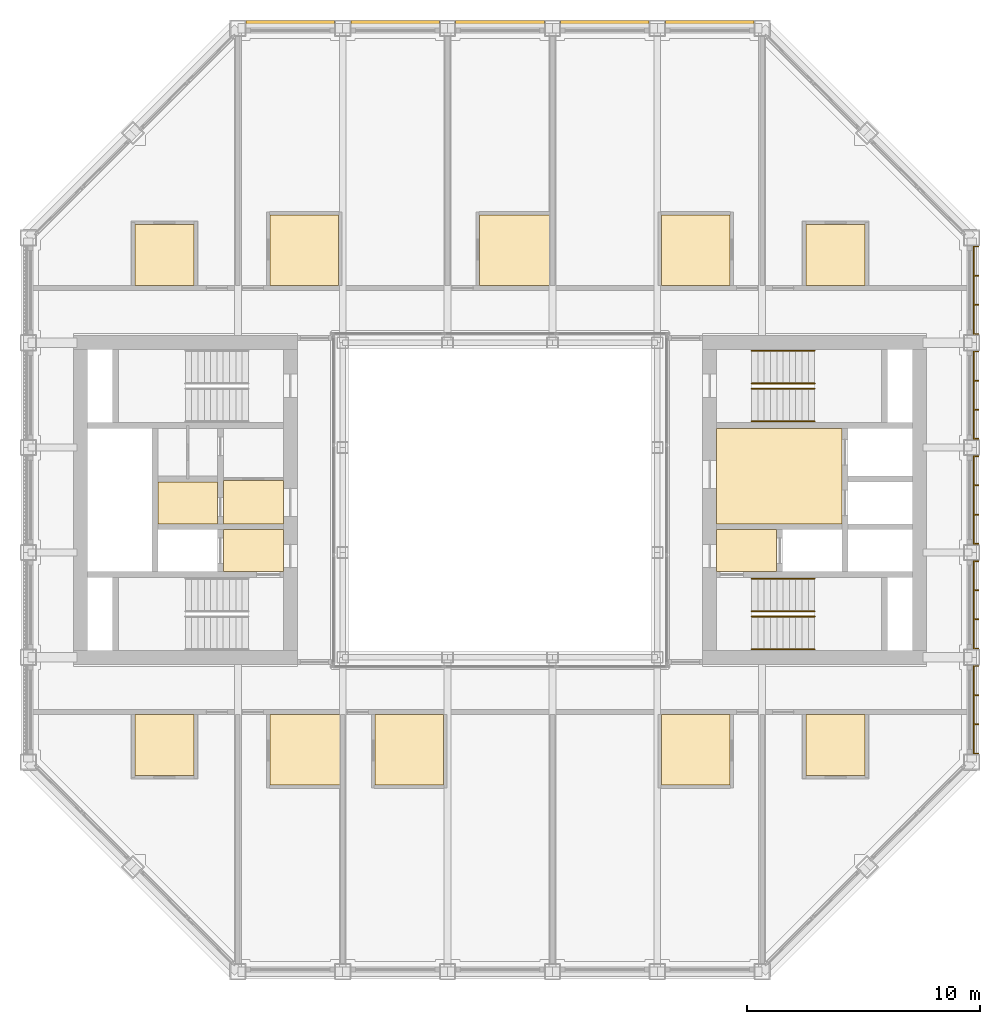
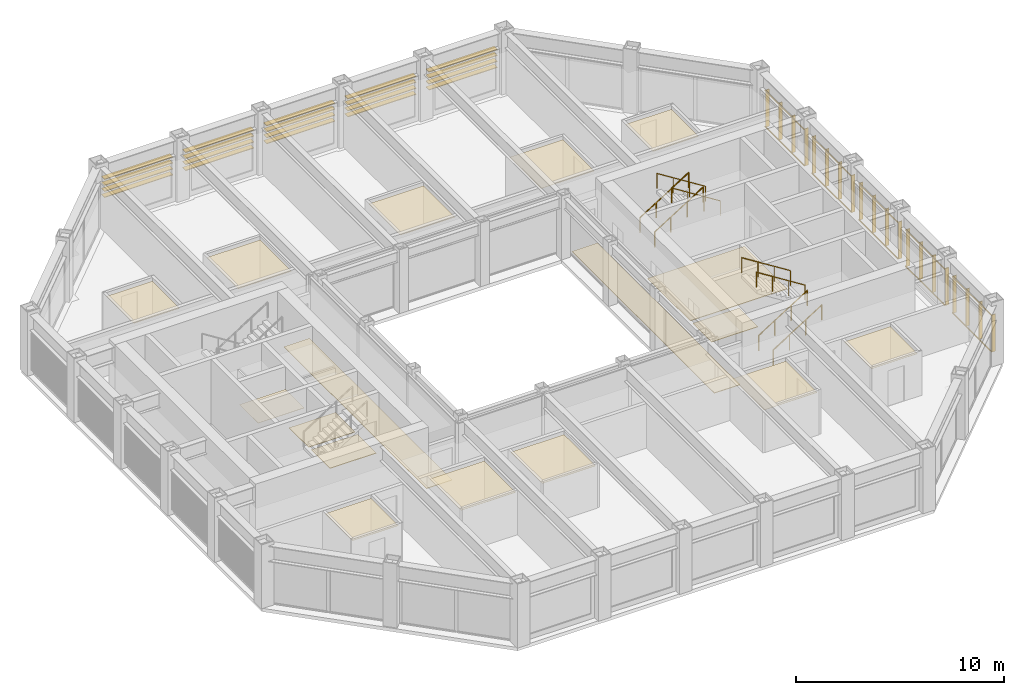
# One storey, part 16 of 16: 8 railings, 2 coverings, 2 shading devices.
"""IFC4 building model written with IfcOpenShell, lengths in metres."""

from ifc_helpers import new_model, si_unit, direction, frame, origin, origin_2d, place, context, subcontext, project, spatial, line, indexed_curve, rectangle, circle, outline, extrude, material, layer, layer_set, type_object, element, save


model = new_model("IFC4")

# Units and contexts
model_context = context("Model", 3, precision=1e-05, world=origin(), true_north=direction((0.0, 1.0)))
body_context = subcontext(model_context, "Body", "Model", "MODEL_VIEW")
ifc_project = project(units=[si_unit("LENGTHUNIT", "METRE"), si_unit("AREAUNIT", "SQUARE_METRE"), si_unit("VOLUMEUNIT", "CUBIC_METRE"), si_unit("PLANEANGLEUNIT", "RADIAN"), si_unit("MASSUNIT", "GRAM", prefix="KILO")], contexts=[model_context])

# Site, building, storey
site_placement = place(None, origin())
site = spatial("IfcSite", under=ifc_project, at=site_placement, CompositionType="ELEMENT")
building_placement = place(site_placement, origin())
building = spatial("IfcBuilding", under=site, at=building_placement, Name="Msasa Ring Tower", CompositionType="ELEMENT")
storey_placement = place(building_placement, frame((0.0, 0.0, 219.550048828125)))
storey = spatial("IfcBuildingStorey", under=building, at=storey_placement, Name="L57", CompositionType="ELEMENT", Elevation=219.550048828125)

# Shading device
ifc_material_1 = material(Name="Extruded terracotta on aluminium carriers", Category="masonry")
shading_device_type_1 = type_object("IfcShadingDeviceType", Name="BS2 TERRACOTTA FIN SCREEN 40x200 AT 1350", PredefinedType="USERDEFINED", material=ifc_material_1)
shading_device_1_placement = place(storey_placement, origin())
element("IfcShadingDevice", 1, at=shading_device_1_placement, inside=storey, type_object=shading_device_type_1, Name="Terracotta fin screen E L57", ObjectType="BAGUETTE", PredefinedType="USERDEFINED", context=body_context, shape_type="SweptSolid", body=[
    extrude(rectangle(XDim=0.06005859375, YDim=0.0400390625, at=origin_2d()), frame((20.330078125, -10.89990234375, 0.329833984375), z_axis=(0.0, 1.0, 0.0), x_axis=(0.0, 0.0, 1.0)), (0.0, 0.0, 1.0), 3.800048828125),
    extrude(rectangle(XDim=0.06005859375, YDim=0.0400390625, at=origin_2d()), frame((20.330078125, -10.89990234375, 2.448974609375), z_axis=(0.0, 1.0, 0.0), x_axis=(0.0, 0.0, 1.0)), (0.0, 0.0, 1.0), 3.800048828125),
    extrude(rectangle(XDim=0.0400390625, YDim=0.199951171875, at=origin_2d()), frame((20.445068359375, -10.8798828125, 0.300048828125), z_axis=(0.0, 0.0, 1.0), x_axis=(0.0, 1.0, 0.0)), (0.0, 0.0, 1.0), 2.178955078125),
    extrude(rectangle(XDim=0.0400390625, YDim=0.199951171875, at=origin_2d()), frame((20.445068359375, -9.626708984375, 0.300048828125), z_axis=(0.0, 0.0, 1.0), x_axis=(0.0, 1.0, 0.0)), (0.0, 0.0, 1.0), 2.178955078125),
    extrude(rectangle(XDim=0.0400390625, YDim=0.199951171875, at=origin_2d()), frame((20.445068359375, -8.373291015625, 0.300048828125), z_axis=(0.0, 0.0, 1.0), x_axis=(0.0, 1.0, 0.0)), (0.0, 0.0, 1.0), 2.178955078125),
    extrude(rectangle(XDim=0.0400390625, YDim=0.199951171875, at=origin_2d()), frame((20.445068359375, -7.1201171875, 0.300048828125), z_axis=(0.0, 0.0, 1.0), x_axis=(0.0, 1.0, 0.0)), (0.0, 0.0, 1.0), 2.178955078125),
    extrude(rectangle(XDim=0.06005859375, YDim=0.0400390625, at=origin_2d()), frame((20.330078125, -6.39990234375, 0.329833984375), z_axis=(0.0, 1.0, 0.0), x_axis=(0.0, 0.0, 1.0)), (0.0, 0.0, 1.0), 3.800048828125),
    extrude(rectangle(XDim=0.06005859375, YDim=0.0400390625, at=origin_2d()), frame((20.330078125, -6.39990234375, 2.448974609375), z_axis=(0.0, 1.0, 0.0), x_axis=(0.0, 0.0, 1.0)), (0.0, 0.0, 1.0), 3.800048828125),
    extrude(rectangle(XDim=0.0400390625, YDim=0.199951171875, at=origin_2d()), frame((20.445068359375, -6.3798828125, 0.300048828125), z_axis=(0.0, 0.0, 1.0), x_axis=(0.0, 1.0, 0.0)), (0.0, 0.0, 1.0), 2.178955078125),
    extrude(rectangle(XDim=0.0400390625, YDim=0.199951171875, at=origin_2d()), frame((20.445068359375, -5.126708984375, 0.300048828125), z_axis=(0.0, 0.0, 1.0), x_axis=(0.0, 1.0, 0.0)), (0.0, 0.0, 1.0), 2.178955078125),
    extrude(rectangle(XDim=0.0400390625, YDim=0.199951171875, at=origin_2d()), frame((20.445068359375, -3.873291015625, 0.300048828125), z_axis=(0.0, 0.0, 1.0), x_axis=(0.0, 1.0, 0.0)), (0.0, 0.0, 1.0), 2.178955078125),
    extrude(rectangle(XDim=0.0400390625, YDim=0.199951171875, at=origin_2d()), frame((20.445068359375, -2.6201171875, 0.300048828125), z_axis=(0.0, 0.0, 1.0), x_axis=(0.0, 1.0, 0.0)), (0.0, 0.0, 1.0), 2.178955078125),
    extrude(rectangle(XDim=0.06005859375, YDim=0.0400390625, at=origin_2d()), frame((20.330078125, -1.89990234375, 0.329833984375), z_axis=(0.0, 1.0, 0.0), x_axis=(0.0, 0.0, 1.0)), (0.0, 0.0, 1.0), 3.800048828125),
    extrude(rectangle(XDim=0.06005859375, YDim=0.0400390625, at=origin_2d()), frame((20.330078125, -1.89990234375, 2.448974609375), z_axis=(0.0, 1.0, 0.0), x_axis=(0.0, 0.0, 1.0)), (0.0, 0.0, 1.0), 3.800048828125),
    extrude(rectangle(XDim=0.0400390625, YDim=0.199951171875, at=origin_2d()), frame((20.445068359375, -1.8798828125, 0.300048828125), z_axis=(0.0, 0.0, 1.0), x_axis=(0.0, 1.0, 0.0)), (0.0, 0.0, 1.0), 2.178955078125),
    extrude(rectangle(XDim=0.0400390625, YDim=0.199951171875, at=origin_2d()), frame((20.445068359375, -0.626708984375, 0.300048828125), z_axis=(0.0, 0.0, 1.0), x_axis=(0.0, 1.0, 0.0)), (0.0, 0.0, 1.0), 2.178955078125),
    extrude(rectangle(XDim=0.0400390625, YDim=0.199951171875, at=origin_2d()), frame((20.445068359375, 0.626708984375, 0.300048828125), z_axis=(0.0, 0.0, 1.0), x_axis=(0.0, 1.0, 0.0)), (0.0, 0.0, 1.0), 2.178955078125),
    extrude(rectangle(XDim=0.0400390625, YDim=0.199951171875, at=origin_2d()), frame((20.445068359375, 1.8798828125, 0.300048828125), z_axis=(0.0, 0.0, 1.0), x_axis=(0.0, 1.0, 0.0)), (0.0, 0.0, 1.0), 2.178955078125),
    extrude(rectangle(XDim=0.06005859375, YDim=0.0400390625, at=origin_2d()), frame((20.330078125, 2.60009765625, 0.329833984375), z_axis=(0.0, 1.0, 0.0), x_axis=(0.0, 0.0, 1.0)), (0.0, 0.0, 1.0), 3.800048828125),
    extrude(rectangle(XDim=0.06005859375, YDim=0.0400390625, at=origin_2d()), frame((20.330078125, 2.60009765625, 2.448974609375), z_axis=(0.0, 1.0, 0.0), x_axis=(0.0, 0.0, 1.0)), (0.0, 0.0, 1.0), 3.800048828125),
    extrude(rectangle(XDim=0.0400390625, YDim=0.199951171875, at=origin_2d()), frame((20.445068359375, 2.6201171875, 0.300048828125), z_axis=(0.0, 0.0, 1.0), x_axis=(0.0, 1.0, 0.0)), (0.0, 0.0, 1.0), 2.178955078125),
    extrude(rectangle(XDim=0.0400390625, YDim=0.199951171875, at=origin_2d()), frame((20.445068359375, 3.873291015625, 0.300048828125), z_axis=(0.0, 0.0, 1.0), x_axis=(0.0, 1.0, 0.0)), (0.0, 0.0, 1.0), 2.178955078125),
    extrude(rectangle(XDim=0.0400390625, YDim=0.199951171875, at=origin_2d()), frame((20.445068359375, 5.126708984375, 0.300048828125), z_axis=(0.0, 0.0, 1.0), x_axis=(0.0, 1.0, 0.0)), (0.0, 0.0, 1.0), 2.178955078125),
    extrude(rectangle(XDim=0.0400390625, YDim=0.199951171875, at=origin_2d()), frame((20.445068359375, 6.3798828125, 0.300048828125), z_axis=(0.0, 0.0, 1.0), x_axis=(0.0, 1.0, 0.0)), (0.0, 0.0, 1.0), 2.178955078125),
    extrude(rectangle(XDim=0.06005859375, YDim=0.0400390625, at=origin_2d()), frame((20.330078125, 7.10009765625, 0.329833984375), z_axis=(0.0, 1.0, 0.0), x_axis=(0.0, 0.0, 1.0)), (0.0, 0.0, 1.0), 3.800048828125),
    extrude(rectangle(XDim=0.06005859375, YDim=0.0400390625, at=origin_2d()), frame((20.330078125, 7.10009765625, 2.448974609375), z_axis=(0.0, 1.0, 0.0), x_axis=(0.0, 0.0, 1.0)), (0.0, 0.0, 1.0), 3.800048828125),
    extrude(rectangle(XDim=0.0400390625, YDim=0.199951171875, at=origin_2d()), frame((20.445068359375, 7.1201171875, 0.300048828125), z_axis=(0.0, 0.0, 1.0), x_axis=(0.0, 1.0, 0.0)), (0.0, 0.0, 1.0), 2.178955078125),
    extrude(rectangle(XDim=0.0400390625, YDim=0.199951171875, at=origin_2d()), frame((20.445068359375, 8.373291015625, 0.300048828125), z_axis=(0.0, 0.0, 1.0), x_axis=(0.0, 1.0, 0.0)), (0.0, 0.0, 1.0), 2.178955078125),
    extrude(rectangle(XDim=0.0400390625, YDim=0.199951171875, at=origin_2d()), frame((20.445068359375, 9.626708984375, 0.300048828125), z_axis=(0.0, 0.0, 1.0), x_axis=(0.0, 1.0, 0.0)), (0.0, 0.0, 1.0), 2.178955078125),
    extrude(rectangle(XDim=0.0400390625, YDim=0.199951171875, at=origin_2d()), frame((20.445068359375, 10.8798828125, 0.300048828125), z_axis=(0.0, 0.0, 1.0), x_axis=(0.0, 1.0, 0.0)), (0.0, 0.0, 1.0), 2.178955078125),
])

# Coverings
ifc_material_2 = material(Name="Moisture-resistant gypsum plasterboard on a steel suspension grid", Category="steel")
ifc_layer_1 = layer(ifc_material_2, 0.014892578125)
ifc_layer_set_1 = layer_set([ifc_layer_1], Name="C2 MOISTURE-RESISTANT PLASTERBOARD CEILING 15")
covering_type_1 = type_object("IfcCoveringType", Name="C2 MOISTURE-RESISTANT PLASTERBOARD CEILING 15", PredefinedType="CEILING", material=ifc_layer_set_1)
covering_1_placement = place(storey_placement, frame((0.0, 0.0, 2.39990234375)))
element("IfcCovering", 2, at=covering_1_placement, inside=storey, type_object=covering_type_1, Name="Moisture-Resistant Plasterboard Ceiling 15 L57", PredefinedType="CEILING", context=body_context, shape_type="SweptSolid", body=[
    extrude(outline(indexed_curve([(-15.66943359375, -11.819580078125), (-15.66943359375, -9.200439453125), (-13.130615234375, -9.200439453125), (-13.130615234375, -11.819580078125)], segments=[line(1, 2, 3, 4, 1)], self_intersect=False)), origin(), (0.0, 0.0, 1.0), 0.01513671875),
    extrude(outline(indexed_curve([(-15.66943359375, 11.819580078125), (-13.130615234375, 11.819580078125), (-13.130615234375, 9.200439453125), (-15.66943359375, 9.200439453125)], segments=[line(1, 2, 3, 4, 1)], self_intersect=False)), origin(), (0.0, 0.0, 1.0), 0.01513671875),
    extrude(outline(indexed_curve([(-14.674560546875, 0.7744140625), (-12.12548828125, 0.7744140625), (-12.12548828125, -1.0244140625), (-14.674560546875, -1.0244140625)], segments=[line(1, 2, 3, 4, 1)], self_intersect=False)), origin(), (0.0, 0.0, 1.0), 0.01513671875),
    extrude(outline(indexed_curve([(-6.8505859375, -9.200439453125), (-6.8505859375, -12.224609375), (-9.87451171875, -12.224609375), (-9.87451171875, -9.200439453125)], segments=[line(1, 2, 3, 4, 1)], self_intersect=False)), origin(), (0.0, 0.0, 1.0), 0.01513671875),
    extrude(outline(indexed_curve([(-9.87451171875, 9.200439453125), (-9.87451171875, 12.224609375), (-6.925537109375, 12.224609375), (-6.925537109375, 9.200439453125)], segments=[line(1, 2, 3, 4, 1)], self_intersect=False)), origin(), (0.0, 0.0, 1.0), 0.01513671875),
    extrude(outline(indexed_curve([(-2.425537109375, -9.200439453125), (-2.425537109375, -12.224609375), (-5.37451171875, -12.224609375), (-5.37451171875, -9.200439453125)], segments=[line(1, 2, 3, 4, 1)], self_intersect=False)), origin(), (0.0, 0.0, 1.0), 0.01513671875),
    extrude(outline(indexed_curve([(2.1494140625, 9.200439453125), (-0.87451171875, 9.200439453125), (-0.87451171875, 12.224609375), (2.1494140625, 12.224609375)], segments=[line(1, 2, 3, 4, 1)], self_intersect=False)), origin(), (0.0, 0.0, 1.0), 0.01513671875),
    extrude(outline(indexed_curve([(9.87451171875, -9.200439453125), (9.87451171875, -12.224609375), (6.925537109375, -12.224609375), (6.925537109375, -9.200439453125)], segments=[line(1, 2, 3, 4, 1)], self_intersect=False)), origin(), (0.0, 0.0, 1.0), 0.01513671875),
    extrude(outline(indexed_curve([(6.925537109375, 9.200439453125), (6.925537109375, 12.224609375), (9.87451171875, 12.224609375), (9.87451171875, 9.200439453125)], segments=[line(1, 2, 3, 4, 1)], self_intersect=False)), origin(), (0.0, 0.0, 1.0), 0.01513671875),
    extrude(outline(indexed_curve([(13.130615234375, -9.200439453125), (15.66943359375, -9.200439453125), (15.66943359375, -11.819580078125), (13.130615234375, -11.819580078125)], segments=[line(1, 2, 3, 4, 1)], self_intersect=False)), origin(), (0.0, 0.0, 1.0), 0.01513671875),
    extrude(outline(indexed_curve([(13.130615234375, 9.200439453125), (13.130615234375, 11.819580078125), (15.66943359375, 11.819580078125), (15.66943359375, 9.200439453125)], segments=[line(1, 2, 3, 4, 1)], self_intersect=False)), origin(), (0.0, 0.0, 1.0), 0.01513671875),
])
ifc_material_3 = material(Name="Honed granite tiles on a mortar bed", Category="masonry")
ifc_layer_2 = layer(ifc_material_3, 0.030029296875)
ifc_layer_set_2 = layer_set([ifc_layer_2], Name="F1 HONED GRANITE ON BEDDING 30")
covering_type_2 = type_object("IfcCoveringType", Name="F1 HONED GRANITE ON BEDDING 30", PredefinedType="FLOORING", material=ifc_layer_set_2)
covering_2_placement = place(storey_placement, origin())
element("IfcCovering", 3, at=covering_2_placement, inside=storey, type_object=covering_type_2, Name="Honed Granite On Bedding 30 L57", PredefinedType="FLOORING", context=body_context, shape_type="SweptSolid", body=[
    extrude(outline(indexed_curve([(-11.87451171875, -3.074462890625), (-11.87451171875, -1.275390625), (-9.300537109375, -1.275390625), (-9.300537109375, -3.074462890625)], segments=[line(1, 2, 3, 4, 1)], self_intersect=False)), origin(), (0.0, 0.0, 1.0), 0.030029296875),
    extrude(outline(indexed_curve([(-11.87451171875, 0.844482421875), (-9.300537109375, 0.844482421875), (-9.300537109375, -1.0244140625), (-11.87451171875, -1.0244140625)], segments=[line(1, 2, 3, 4, 1)], self_intersect=False)), origin(), (0.0, 0.0, 1.0), 0.030029296875),
    extrude(outline(indexed_curve([(-8.699462890625, -6.849609375), (-8.699462890625, 6.849609375), (-7.280029296875, 6.849609375), (-7.280029296875, -6.849609375)], segments=[line(1, 2, 3, 4, 1)], self_intersect=False)), origin(), (0.0, 0.0, 1.0), 0.030029296875),
    extrude(outline(indexed_curve([(8.699462890625, 6.849609375), (8.699462890625, -6.849609375), (7.280029296875, -6.849609375), (7.280029296875, 6.849609375)], segments=[line(1, 2, 3, 4, 1)], self_intersect=False)), origin(), (0.0, 0.0, 1.0), 0.030029296875),
    extrude(outline(indexed_curve([(9.300537109375, -1.275390625), (11.87451171875, -1.275390625), (11.87451171875, -3.074462890625), (9.300537109375, -3.074462890625)], segments=[line(1, 2, 3, 4, 1)], self_intersect=False)), origin(), (0.0, 0.0, 1.0), 0.030029296875),
    extrude(outline(indexed_curve([(9.300537109375, 3.074462890625), (14.674560546875, 3.074462890625), (14.674560546875, -1.0244140625), (9.300537109375, -1.0244140625)], segments=[line(1, 2, 3, 4, 1)], self_intersect=False)), origin(), (0.0, 0.0, 1.0), 0.030029296875),
])

# Railings
ifc_material_4 = material(Name="Stainless steel", Category="steel")
railing_type = type_object("IfcRailingType", Name="HR1 HANDRAIL 900", PredefinedType="HANDRAIL", material=ifc_material_4)
for number, where, name in (
    (4, (10.800048828125, -6.39990234375, 0.17041015625), "Handrail stair SEA L57 1"),
    (5, (10.800048828125, -5.0, 0.17041015625), "Handrail stair SEA L57 2"),
):
    element("IfcRailing", number, at=place(storey_placement, frame(where)), inside=storey, type_object=railing_type, Name=name, PredefinedType="HANDRAIL", context=body_context, shape_type="SweptSolid", body=[
        extrude(circle(Radius=0.02392578125, at=origin_2d()), frame((0.0, 0.0, 0.8759765625), z_axis=(0.845579735284, 0.0, 0.533849146555), x_axis=(0.0, 1.0, 0.0)), (0.0, 0.0, 1.0), 3.193115234375),
        extrude(circle(Radius=0.02099609375, at=origin_2d()), origin(), (0.0, 0.0, 1.0), 0.851806640625),
        extrude(circle(Radius=0.02099609375, at=origin_2d()), frame((0.89990234375, 0.0, 0.568115234375)), (0.0, 0.0, 1.0), 0.851806640625),
        extrude(circle(Radius=0.02099609375, at=origin_2d()), frame((1.800048828125, 0.0, 1.136474609375)), (0.0, 0.0, 1.0), 0.851806640625),
        extrude(circle(Radius=0.02099609375, at=origin_2d()), frame((2.699951171875, 0.0, 1.70458984375)), (0.0, 0.0, 1.0), 0.851806640625),
    ])
for number, where, name in (
    (6, (13.5, -4.77490234375, 2.04541015625), "Handrail stair SEA L57 3"),
    (7, (13.5, -3.375, 2.04541015625), "Handrail stair SEA L57 4"),
):
    element("IfcRailing", number, at=place(storey_placement, frame(where)), inside=storey, type_object=railing_type, Name=name, PredefinedType="HANDRAIL", context=body_context, shape_type="SweptSolid", body=[
        extrude(circle(Radius=0.02392578125, at=origin_2d()), frame((0.0, 0.0, 0.8759765625), z_axis=(-0.845579735284, 0.0, 0.533849146555), x_axis=(0.0, -1.0, 0.0)), (0.0, 0.0, 1.0), 3.193115234375),
        extrude(circle(Radius=0.02099609375, at=origin_2d()), origin(), (0.0, 0.0, 1.0), 0.851806640625),
        extrude(circle(Radius=0.02099609375, at=origin_2d()), frame((-0.89990234375, 0.0, 0.568115234375)), (0.0, 0.0, 1.0), 0.851806640625),
        extrude(circle(Radius=0.02099609375, at=origin_2d()), frame((-1.800048828125, 0.0, 1.136474609375)), (0.0, 0.0, 1.0), 0.851806640625),
        extrude(circle(Radius=0.02099609375, at=origin_2d()), frame((-2.699951171875, 0.0, 1.70458984375)), (0.0, 0.0, 1.0), 0.851806640625),
    ])
for number, where, name in (
    (8, (10.800048828125, 5.0, 0.17041015625), "Handrail stair SEB L57 1"),
    (9, (10.800048828125, 6.39990234375, 0.17041015625), "Handrail stair SEB L57 2"),
):
    element("IfcRailing", number, at=place(storey_placement, frame(where)), inside=storey, type_object=railing_type, Name=name, PredefinedType="HANDRAIL", context=body_context, shape_type="SweptSolid", body=[
        extrude(circle(Radius=0.02392578125, at=origin_2d()), frame((0.0, 0.0, 0.8759765625), z_axis=(0.845579735284, 0.0, 0.533849146555), x_axis=(0.0, 1.0, 0.0)), (0.0, 0.0, 1.0), 3.193115234375),
        extrude(circle(Radius=0.02099609375, at=origin_2d()), origin(), (0.0, 0.0, 1.0), 0.851806640625),
        extrude(circle(Radius=0.02099609375, at=origin_2d()), frame((0.89990234375, 0.0, 0.568115234375)), (0.0, 0.0, 1.0), 0.851806640625),
        extrude(circle(Radius=0.02099609375, at=origin_2d()), frame((1.800048828125, 0.0, 1.136474609375)), (0.0, 0.0, 1.0), 0.851806640625),
        extrude(circle(Radius=0.02099609375, at=origin_2d()), frame((2.699951171875, 0.0, 1.70458984375)), (0.0, 0.0, 1.0), 0.851806640625),
    ])
for number, where, name in (
    (10, (13.5, 3.375, 2.04541015625), "Handrail stair SEB L57 3"),
    (11, (13.5, 4.77490234375, 2.04541015625), "Handrail stair SEB L57 4"),
):
    element("IfcRailing", number, at=place(storey_placement, frame(where)), inside=storey, type_object=railing_type, Name=name, PredefinedType="HANDRAIL", context=body_context, shape_type="SweptSolid", body=[
        extrude(circle(Radius=0.02392578125, at=origin_2d()), frame((0.0, 0.0, 0.8759765625), z_axis=(-0.845579735284, 0.0, 0.533849146555), x_axis=(0.0, -1.0, 0.0)), (0.0, 0.0, 1.0), 3.193115234375),
        extrude(circle(Radius=0.02099609375, at=origin_2d()), origin(), (0.0, 0.0, 1.0), 0.851806640625),
        extrude(circle(Radius=0.02099609375, at=origin_2d()), frame((-0.89990234375, 0.0, 0.568115234375)), (0.0, 0.0, 1.0), 0.851806640625),
        extrude(circle(Radius=0.02099609375, at=origin_2d()), frame((-1.800048828125, 0.0, 1.136474609375)), (0.0, 0.0, 1.0), 0.851806640625),
        extrude(circle(Radius=0.02099609375, at=origin_2d()), frame((-2.699951171875, 0.0, 1.70458984375)), (0.0, 0.0, 1.0), 0.851806640625),
    ])

# Shading device
ifc_material_5 = material(Name="Extruded terracotta blades", Category="masonry")
shading_device_type_2 = type_object("IfcShadingDeviceType", Name="SS1 TERRACOTTA SUNSHADE 4 BLADES 300x40 AT 350", PredefinedType="USERDEFINED", material=ifc_material_5)
shading_device_2_placement = place(storey_placement, origin())
element("IfcShadingDevice", 12, at=shading_device_2_placement, inside=storey, type_object=shading_device_type_2, Name="Terracotta sunshade N L57", ObjectType="SUNSHADE", PredefinedType="USERDEFINED", context=body_context, shape_type="SweptSolid", body=[
    extrude(rectangle(XDim=0.0400390625, YDim=0.300048828125, at=origin_2d()), frame((-10.89990234375, 20.429931640625, 2.458984375), z_axis=(1.0, 0.0, 0.0), x_axis=(0.0, 0.0, 1.0)), (0.0, 0.0, 1.0), 3.800048828125),
    extrude(rectangle(XDim=0.0400390625, YDim=0.300048828125, at=origin_2d()), frame((-10.89990234375, 20.429931640625, 2.10888671875), z_axis=(1.0, 0.0, 0.0), x_axis=(0.0, 0.0, 1.0)), (0.0, 0.0, 1.0), 3.800048828125),
    extrude(rectangle(XDim=0.0400390625, YDim=0.300048828125, at=origin_2d()), frame((-10.89990234375, 20.429931640625, 1.759033203125), z_axis=(1.0, 0.0, 0.0), x_axis=(0.0, 0.0, 1.0)), (0.0, 0.0, 1.0), 3.800048828125),
    extrude(rectangle(XDim=0.0400390625, YDim=0.300048828125, at=origin_2d()), frame((-10.89990234375, 20.429931640625, 1.408935546875), z_axis=(1.0, 0.0, 0.0), x_axis=(0.0, 0.0, 1.0)), (0.0, 0.0, 1.0), 3.800048828125),
    extrude(rectangle(XDim=0.0400390625, YDim=0.300048828125, at=origin_2d()), frame((-6.39990234375, 20.429931640625, 2.458984375), z_axis=(1.0, 0.0, 0.0), x_axis=(0.0, 0.0, 1.0)), (0.0, 0.0, 1.0), 3.800048828125),
    extrude(rectangle(XDim=0.0400390625, YDim=0.300048828125, at=origin_2d()), frame((-6.39990234375, 20.429931640625, 2.10888671875), z_axis=(1.0, 0.0, 0.0), x_axis=(0.0, 0.0, 1.0)), (0.0, 0.0, 1.0), 3.800048828125),
    extrude(rectangle(XDim=0.0400390625, YDim=0.300048828125, at=origin_2d()), frame((-6.39990234375, 20.429931640625, 1.759033203125), z_axis=(1.0, 0.0, 0.0), x_axis=(0.0, 0.0, 1.0)), (0.0, 0.0, 1.0), 3.800048828125),
    extrude(rectangle(XDim=0.0400390625, YDim=0.300048828125, at=origin_2d()), frame((-6.39990234375, 20.429931640625, 1.408935546875), z_axis=(1.0, 0.0, 0.0), x_axis=(0.0, 0.0, 1.0)), (0.0, 0.0, 1.0), 3.800048828125),
    extrude(rectangle(XDim=0.0400390625, YDim=0.300048828125, at=origin_2d()), frame((-1.89990234375, 20.429931640625, 2.458984375), z_axis=(1.0, 0.0, 0.0), x_axis=(0.0, 0.0, 1.0)), (0.0, 0.0, 1.0), 3.800048828125),
    extrude(rectangle(XDim=0.0400390625, YDim=0.300048828125, at=origin_2d()), frame((-1.89990234375, 20.429931640625, 2.10888671875), z_axis=(1.0, 0.0, 0.0), x_axis=(0.0, 0.0, 1.0)), (0.0, 0.0, 1.0), 3.800048828125),
    extrude(rectangle(XDim=0.0400390625, YDim=0.300048828125, at=origin_2d()), frame((-1.89990234375, 20.429931640625, 1.759033203125), z_axis=(1.0, 0.0, 0.0), x_axis=(0.0, 0.0, 1.0)), (0.0, 0.0, 1.0), 3.800048828125),
    extrude(rectangle(XDim=0.0400390625, YDim=0.300048828125, at=origin_2d()), frame((-1.89990234375, 20.429931640625, 1.408935546875), z_axis=(1.0, 0.0, 0.0), x_axis=(0.0, 0.0, 1.0)), (0.0, 0.0, 1.0), 3.800048828125),
    extrude(rectangle(XDim=0.0400390625, YDim=0.300048828125, at=origin_2d()), frame((2.60009765625, 20.429931640625, 2.458984375), z_axis=(1.0, 0.0, 0.0), x_axis=(0.0, 0.0, 1.0)), (0.0, 0.0, 1.0), 3.800048828125),
    extrude(rectangle(XDim=0.0400390625, YDim=0.300048828125, at=origin_2d()), frame((2.60009765625, 20.429931640625, 2.10888671875), z_axis=(1.0, 0.0, 0.0), x_axis=(0.0, 0.0, 1.0)), (0.0, 0.0, 1.0), 3.800048828125),
    extrude(rectangle(XDim=0.0400390625, YDim=0.300048828125, at=origin_2d()), frame((2.60009765625, 20.429931640625, 1.759033203125), z_axis=(1.0, 0.0, 0.0), x_axis=(0.0, 0.0, 1.0)), (0.0, 0.0, 1.0), 3.800048828125),
    extrude(rectangle(XDim=0.0400390625, YDim=0.300048828125, at=origin_2d()), frame((2.60009765625, 20.429931640625, 1.408935546875), z_axis=(1.0, 0.0, 0.0), x_axis=(0.0, 0.0, 1.0)), (0.0, 0.0, 1.0), 3.800048828125),
    extrude(rectangle(XDim=0.0400390625, YDim=0.300048828125, at=origin_2d()), frame((7.10009765625, 20.429931640625, 2.458984375), z_axis=(1.0, 0.0, 0.0), x_axis=(0.0, 0.0, 1.0)), (0.0, 0.0, 1.0), 3.800048828125),
    extrude(rectangle(XDim=0.0400390625, YDim=0.300048828125, at=origin_2d()), frame((7.10009765625, 20.429931640625, 2.10888671875), z_axis=(1.0, 0.0, 0.0), x_axis=(0.0, 0.0, 1.0)), (0.0, 0.0, 1.0), 3.800048828125),
    extrude(rectangle(XDim=0.0400390625, YDim=0.300048828125, at=origin_2d()), frame((7.10009765625, 20.429931640625, 1.759033203125), z_axis=(1.0, 0.0, 0.0), x_axis=(0.0, 0.0, 1.0)), (0.0, 0.0, 1.0), 3.800048828125),
    extrude(rectangle(XDim=0.0400390625, YDim=0.300048828125, at=origin_2d()), frame((7.10009765625, 20.429931640625, 1.408935546875), z_axis=(1.0, 0.0, 0.0), x_axis=(0.0, 0.0, 1.0)), (0.0, 0.0, 1.0), 3.800048828125),
])

save(model, "model.ifc")
